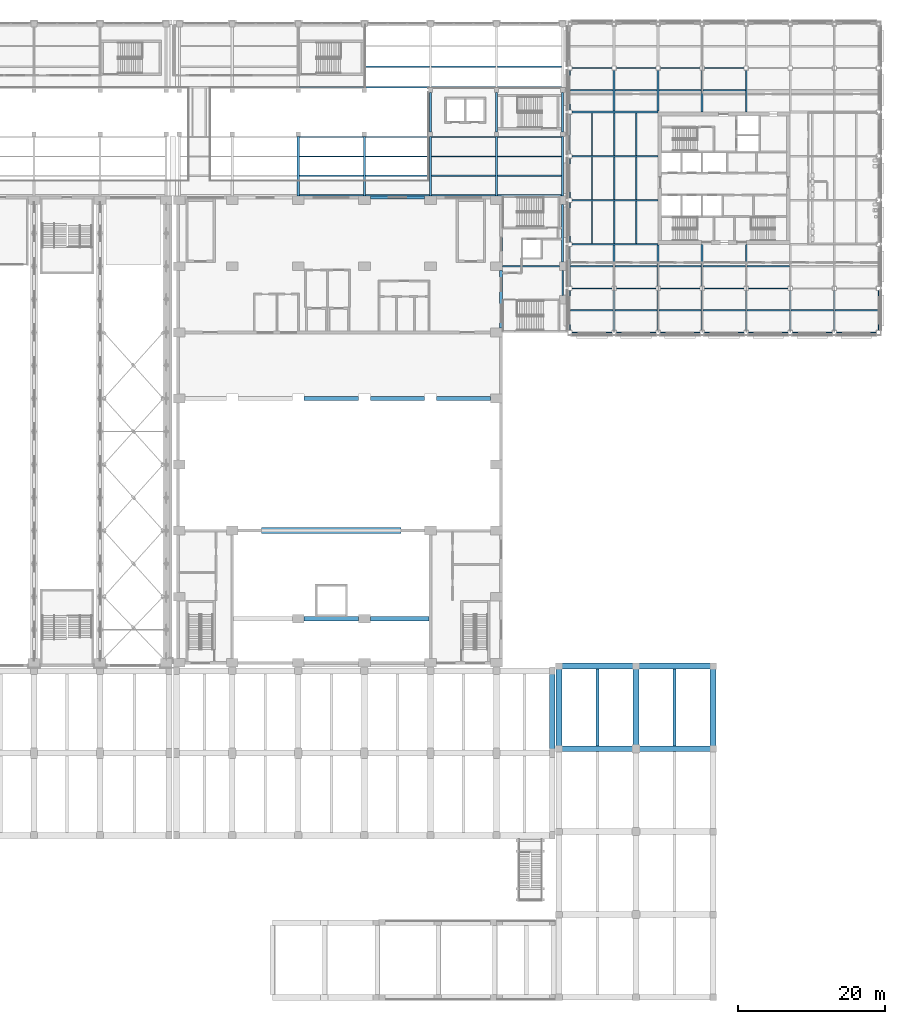
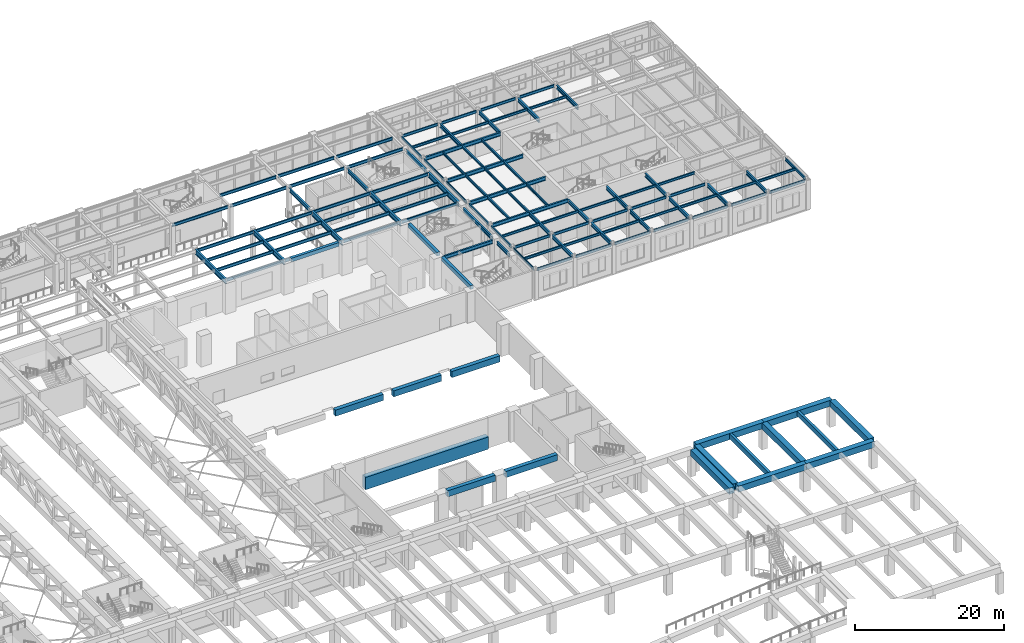
# One storey, part 20 of 76: 119 beams.
"""IFC4 building model written with IfcOpenShell, lengths in metres."""

from ifc_helpers import new_model, si_unit, direction, frame, origin, origin_2d, place, context, subcontext, project, spatial, rectangle, i_section, extrude, material, material_profile, profile_set, type_object, element, save


model = new_model("IFC4")

# Units and contexts
model_context = context("Model", 3, precision=1e-05, world=origin(), true_north=direction((0.0, 1.0)))
body_context = subcontext(model_context, "Body", "Model", "MODEL_VIEW")
ifc_project = project(units=[si_unit("LENGTHUNIT", "METRE"), si_unit("AREAUNIT", "SQUARE_METRE"), si_unit("VOLUMEUNIT", "CUBIC_METRE"), si_unit("PLANEANGLEUNIT", "RADIAN"), si_unit("MASSUNIT", "GRAM", prefix="KILO")], contexts=[model_context])

# Site, building, storey
site_placement = place(None, origin())
site = spatial("IfcSite", under=ifc_project, at=site_placement, CompositionType="ELEMENT")
building_placement = place(site_placement, origin())
building = spatial("IfcBuilding", under=site, at=building_placement, Name="Aravalli Gate Trade Fair Centre", CompositionType="ELEMENT")
storey_placement = place(building_placement, frame((0.0, 0.0, 10.0)))
storey = spatial("IfcBuildingStorey", under=building, at=storey_placement, Name="L02", CompositionType="ELEMENT", Elevation=10.0)

# Beams
ifc_material_1 = material(Name="Concrete M45", Category="concrete")
ifc_material_profile_1 = material_profile(ifc_material_1, rectangle(XDim=0.60009765625, YDim=1.0, at=origin_2d()), Name="RC 600x1000")
ifc_profile_set_1 = profile_set([ifc_material_profile_1], Name="Concrete M45")
beam_type_1 = type_object("IfcBeamType", Name="Congress RC beam 600 x 1000", PredefinedType="BEAM", material=ifc_profile_set_1)
for number, where, z_axis, x_axis, name in (
    (1, (123.800048828125, 82.0, -0.5), (1.0, 0.0, 0.0), (0.0, 1.0, 0.0), "Balcony front beam L02 123 to 132"),
    (2, (132.800048828125, 82.0, -0.5), (1.0, 0.0, 0.0), (0.0, 1.0, 0.0), "Balcony front beam L02 132 to 141"),
    (3, (141.800048828125, 82.0, -0.5), (1.0, 0.0, 0.0), (0.0, 1.0, 0.0), "Balcony front beam L02 141 to 150"),
    (4, (123.800048828125, 52.0, 4.5), (1.0, 0.0, 0.0), (0.0, 1.0, 0.0), "Scenery gallery front beam 2"),
):
    element("IfcBeam", number, at=place(storey_placement, frame(where, z_axis=z_axis, x_axis=x_axis)), inside=storey, type_object=beam_type_1, Name=name, PredefinedType="BEAM", context=body_context, shape_type="SweptSolid", body=[
        extrude(rectangle(XDim=0.60009765625, YDim=1.0, at=origin_2d()), origin(), (0.0, 0.0, 1.0), 7.39990234375),
    ])
beam_1_placement = place(storey_placement, frame((132.800048828125, 52.0, 4.5), z_axis=(1.0, 0.0, 0.0), x_axis=(0.0, 1.0, 0.0)))
element("IfcBeam", 5, at=beam_1_placement, inside=storey, type_object=beam_type_1, Name="Scenery gallery front beam 3", PredefinedType="BEAM", context=body_context, shape_type="SweptSolid", body=[
    extrude(rectangle(XDim=0.60009765625, YDim=1.0, at=origin_2d()), origin(), (0.0, 0.0, 1.0), 8.0),
])
ifc_material_profile_2 = material_profile(ifc_material_1, rectangle(XDim=0.449951171875, YDim=0.60009765625, at=origin_2d()), Name="RC 450x600")
ifc_profile_set_2 = profile_set([ifc_material_profile_2], Name="Concrete M45")
beam_type_2 = type_object("IfcBeamType", Name="Congress RC lintel beam 450 x 600", PredefinedType="BEAM", material=ifc_profile_set_2)
for number, where, z_axis, x_axis, name in (
    (6, (150.60009765625, 91.60009765625, 4.699951171875), (0.0, 1.0, 0.0), (-1.0, 0.0, 0.0), "Lintel E L02 bay 6"),
    (7, (150.60009765625, 100.60009765625, 4.699951171875), (0.0, 1.0, 0.0), (-1.0, 0.0, 0.0), "Lintel E L02 bay 7"),
):
    element("IfcBeam", number, at=place(storey_placement, frame(where, z_axis=z_axis, x_axis=x_axis)), inside=storey, type_object=beam_type_2, Name=name, PredefinedType="BEAM", context=body_context, shape_type="SweptSolid", body=[
        extrude(rectangle(XDim=0.449951171875, YDim=0.60009765625, at=origin_2d()), origin(), (0.0, 0.0, 1.0), 7.7998046875),
    ])
beam_2_placement = place(storey_placement, frame((132.800048828125, 109.375, 4.699951171875), z_axis=(1.0, 0.0, 0.0), x_axis=(0.0, 1.0, 0.0)))
element("IfcBeam", 8, at=beam_2_placement, inside=storey, type_object=beam_type_2, Name="Lintel N L02 bay 4", PredefinedType="BEAM", context=body_context, shape_type="SweptSolid", body=[
    extrude(rectangle(XDim=0.449951171875, YDim=0.60009765625, at=origin_2d()), origin(), (0.0, 0.0, 1.0), 7.39990234375),
])
ifc_material_profile_3 = material_profile(ifc_material_1, rectangle(XDim=0.800048828125, YDim=2.0, at=origin_2d()), Name="RC 800x2000")
ifc_profile_set_3 = profile_set([ifc_material_profile_3], Name="Concrete M45")
beam_type_3 = type_object("IfcBeamType", Name="Congress RC proscenium beam 800 x 2000", PredefinedType="BEAM", material=ifc_profile_set_3)
beam_3_placement = place(storey_placement, frame((118.0, 64.0, 1.0), z_axis=(1.0, 0.0, 0.0), x_axis=(0.0, 1.0, 0.0)))
element("IfcBeam", 9, at=beam_3_placement, inside=storey, type_object=beam_type_3, Name="Proscenium lintel beam", PredefinedType="BEAM", context=body_context, shape_type="SweptSolid", body=[
    extrude(rectangle(XDim=0.800048828125, YDim=2.0, at=origin_2d()), origin(), (0.0, 0.0, 1.0), 19.0),
])
ifc_material_profile_4 = material_profile(ifc_material_1, rectangle(XDim=0.800048828125, YDim=1.0, at=origin_2d()), Name="Deck girder RC 800 x 1000")
ifc_profile_set_4 = profile_set([ifc_material_profile_4], Name="Concrete M45")
beam_type_4 = type_object("IfcBeamType", Name="Deck girder RC 800 x 1000", PredefinedType="BEAM", material=ifc_profile_set_4)
beam_4_placement = place(storey_placement, frame((157.580078125, 34.10009765625, 3.89990234375), z_axis=(0.0, 1.0, 0.0), x_axis=(-1.0, 0.0, 0.0)))
element("IfcBeam", 10, at=beam_4_placement, inside=storey, type_object=beam_type_4, Name="Beam SB3-091", PredefinedType="BEAM", context=body_context, shape_type="SweptSolid", body=[
    extrude(rectangle(XDim=0.800048828125, YDim=1.0, at=origin_2d()), origin(), (0.0, 0.0, 1.0), 10.39990234375),
])
for number, where, z_axis, x_axis, name in (
    (11, (158.5, 34.300048828125, 3.89990234375), (1.0, 0.0, 0.0), (0.0, 1.0, 0.0), "Beam SB3-098"),
    (12, (169.0, 34.300048828125, 3.89990234375), (1.0, 0.0, 0.0), (0.0, 1.0, 0.0), "Beam SB3-099"),
    (13, (158.5, 45.550048828125, 3.89990234375), (1.0, 0.0, 0.0), (0.0, 1.0, 0.0), "Beam SB3-100"),
    (14, (169.0, 45.550048828125, 3.89990234375), (1.0, 0.0, 0.0), (0.0, 1.0, 0.0), "Beam SB3-101"),
):
    element("IfcBeam", number, at=place(storey_placement, frame(where, z_axis=z_axis, x_axis=x_axis)), inside=storey, type_object=beam_type_4, Name=name, PredefinedType="BEAM", context=body_context, shape_type="SweptSolid", body=[
        extrude(rectangle(XDim=0.800048828125, YDim=1.0, at=origin_2d()), origin(), (0.0, 0.0, 1.0), 10.5),
    ])
for number, where, z_axis, x_axis, name in (
    (15, (158.5, 34.699951171875, 3.89990234375), (0.0, 1.0, 0.0), (-1.0, 0.0, 0.0), "Beam SB3-105"),
    (16, (169.0, 34.699951171875, 3.89990234375), (0.0, 1.0, 0.0), (-1.0, 0.0, 0.0), "Beam SB3-109"),
    (17, (179.5, 34.699951171875, 3.89990234375), (0.0, 1.0, 0.0), (-1.0, 0.0, 0.0), "Beam SB3-113"),
):
    element("IfcBeam", number, at=place(storey_placement, frame(where, z_axis=z_axis, x_axis=x_axis)), inside=storey, type_object=beam_type_4, Name=name, PredefinedType="BEAM", context=body_context, shape_type="SweptSolid", body=[
        extrude(rectangle(XDim=0.800048828125, YDim=1.0, at=origin_2d()), origin(), (0.0, 0.0, 1.0), 10.449951171875),
    ])
ifc_material_profile_5 = material_profile(ifc_material_1, rectangle(XDim=0.39990234375, YDim=0.800048828125, at=origin_2d()), Name="Deck secondary beam RC 400 x 800")
ifc_profile_set_5 = profile_set([ifc_material_profile_5], Name="Concrete M45")
beam_type_5 = type_object("IfcBeamType", Name="Deck secondary beam RC 400 x 800", PredefinedType="BEAM", material=ifc_profile_set_5)
for number, where, z_axis, x_axis, name in (
    (18, (163.75, 34.699951171875, 4.0), (0.0, 1.0, 0.0), (-1.0, 0.0, 0.0), "Beam SB4-038"),
    (19, (174.25, 34.699951171875, 4.0), (0.0, 1.0, 0.0), (-1.0, 0.0, 0.0), "Beam SB4-042"),
):
    element("IfcBeam", number, at=place(storey_placement, frame(where, z_axis=z_axis, x_axis=x_axis)), inside=storey, type_object=beam_type_5, Name=name, PredefinedType="BEAM", context=body_context, shape_type="SweptSolid", body=[
        extrude(rectangle(XDim=0.39990234375, YDim=0.800048828125, at=origin_2d()), origin(), (0.0, 0.0, 1.0), 10.449951171875),
    ])
ifc_material_2 = material(Name="Steel E350", Category="steel")
ifc_material_profile_6 = material_profile(ifc_material_2, i_section(OverallWidth=0.179931640625, OverallDepth=0.5, WebThickness=0.01025390625, FlangeThickness=0.01708984375, at=origin_2d()), Name="ISMB 500")
ifc_profile_set_6 = profile_set([ifc_material_profile_6], Name="Steel E350")
beam_type_6 = type_object("IfcBeamType", Name="ISMB 500 gallery secondary beam", PredefinedType="JOIST", material=ifc_profile_set_6)
for number, where, z_axis, x_axis, name in (
    (20, (123.14990234375, 109.68994140625, 4.550048828125), (1.0, 0.0, 0.0), (0.0, 1.0, 0.0), "Gallery beam S0 14-15 L03"),
    (21, (123.14990234375, 112.330078125, 4.550048828125), (1.0, 0.0, 0.0), (0.0, 1.0, 0.0), "Gallery beam S1 14-15 L03"),
    (22, (123.14990234375, 114.969970703125, 4.550048828125), (1.0, 0.0, 0.0), (0.0, 1.0, 0.0), "Gallery beam S2 14-15 L03"),
    (23, (123.14990234375, 117.610107421875, 4.550048828125), (1.0, 0.0, 0.0), (0.0, 1.0, 0.0), "Gallery beam S3 14-15 L03"),
    (24, (123.14990234375, 124.389892578125, 4.550048828125), (1.0, 0.0, 0.0), (0.0, 1.0, 0.0), "Gallery beam N4 14-15 L03"),
    (25, (132.14990234375, 109.68994140625, 4.550048828125), (1.0, 0.0, 0.0), (0.0, 1.0, 0.0), "Gallery beam S0 15-16 L03"),
    (26, (132.14990234375, 112.330078125, 4.550048828125), (1.0, 0.0, 0.0), (0.0, 1.0, 0.0), "Gallery beam S1 15-16 L03"),
    (27, (132.14990234375, 114.969970703125, 4.550048828125), (1.0, 0.0, 0.0), (0.0, 1.0, 0.0), "Gallery beam S2 15-16 L03"),
    (28, (132.14990234375, 117.610107421875, 4.550048828125), (1.0, 0.0, 0.0), (0.0, 1.0, 0.0), "Gallery beam S3 15-16 L03"),
    (29, (132.14990234375, 124.389892578125, 4.550048828125), (1.0, 0.0, 0.0), (0.0, 1.0, 0.0), "Gallery beam N4 15-16 L03"),
    (30, (132.14990234375, 127.203369140625, 4.550048828125), (1.0, 0.0, 0.0), (0.0, 1.0, 0.0), "Gallery beam N5 15-16 L03"),
    (31, (141.14990234375, 109.68994140625, 4.550048828125), (1.0, 0.0, 0.0), (0.0, 1.0, 0.0), "Gallery beam S0 16-17 L03"),
    (32, (141.14990234375, 112.330078125, 4.550048828125), (1.0, 0.0, 0.0), (0.0, 1.0, 0.0), "Gallery beam S1 16-17 L03"),
    (33, (141.14990234375, 114.969970703125, 4.550048828125), (1.0, 0.0, 0.0), (0.0, 1.0, 0.0), "Gallery beam S2 16-17 L03"),
    (34, (141.14990234375, 117.610107421875, 4.550048828125), (1.0, 0.0, 0.0), (0.0, 1.0, 0.0), "Gallery beam S3 16-17 L03"),
    (35, (141.14990234375, 124.389892578125, 4.550048828125), (1.0, 0.0, 0.0), (0.0, 1.0, 0.0), "Gallery beam N4 16-17 L03"),
    (36, (141.14990234375, 127.203369140625, 4.550048828125), (1.0, 0.0, 0.0), (0.0, 1.0, 0.0), "Gallery beam N5 16-17 L03"),
    (37, (150.14990234375, 109.68994140625, 4.550048828125), (1.0, 0.0, 0.0), (0.0, 1.0, 0.0), "Gallery beam S0 17-E L03"),
    (38, (150.14990234375, 112.330078125, 4.550048828125), (1.0, 0.0, 0.0), (0.0, 1.0, 0.0), "Gallery beam S1 17-E L03"),
    (39, (150.14990234375, 114.969970703125, 4.550048828125), (1.0, 0.0, 0.0), (0.0, 1.0, 0.0), "Gallery beam S2 17-E L03"),
    (40, (150.14990234375, 117.610107421875, 4.550048828125), (1.0, 0.0, 0.0), (0.0, 1.0, 0.0), "Gallery beam S3 17-E L03"),
    (41, (150.14990234375, 124.389892578125, 4.550048828125), (1.0, 0.0, 0.0), (0.0, 1.0, 0.0), "Gallery beam N4 17-E L03"),
    (42, (150.14990234375, 127.203369140625, 4.550048828125), (1.0, 0.0, 0.0), (0.0, 1.0, 0.0), "Gallery beam N5 17-E L03"),
):
    element("IfcBeam", number, at=place(storey_placement, frame(where, z_axis=z_axis, x_axis=x_axis)), inside=storey, type_object=beam_type_6, Name=name, PredefinedType="JOIST", context=body_context, shape_type="SweptSolid", body=[
        extrude(i_section(OverallWidth=0.179931640625, OverallDepth=0.5, WebThickness=0.01025390625, FlangeThickness=0.01708984375, at=origin_2d()), origin(), (0.0, 0.0, 1.0), 8.7001953125),
    ])
ifc_material_profile_7 = material_profile(ifc_material_2, i_section(OverallWidth=0.25, OverallDepth=0.60009765625, WebThickness=0.01123046875, FlangeThickness=0.021240234375, at=origin_2d()), Name="ISWB 600")
ifc_profile_set_7 = profile_set([ifc_material_profile_7], Name="Steel E350")
beam_type_7 = type_object("IfcBeamType", Name="ISWB 600 gallery girder", PredefinedType="BEAM", material=ifc_profile_set_7)
for number, where, z_axis, x_axis, name in (
    (43, (141.0, 118.300048828125, 4.5), (0.0, 1.0, 0.0), (-1.0, 0.0, 0.0), "Gallery girder M16 L03"),
    (44, (150.0, 118.300048828125, 4.5), (0.0, 1.0, 0.0), (-1.0, 0.0, 0.0), "Gallery girder M17 L03"),
    (45, (159.0, 118.300048828125, 4.5), (0.0, 1.0, 0.0), (-1.0, 0.0, 0.0), "Gallery girder ME L03"),
):
    element("IfcBeam", number, at=place(storey_placement, frame(where, z_axis=z_axis, x_axis=x_axis)), inside=storey, type_object=beam_type_7, Name=name, PredefinedType="BEAM", context=body_context, shape_type="SweptSolid", body=[
        extrude(i_section(OverallWidth=0.25, OverallDepth=0.60009765625, WebThickness=0.01123046875, FlangeThickness=0.021240234375, at=origin_2d()), origin(), (0.0, 0.0, 1.0), 5.39990234375),
    ])
ifc_material_profile_8 = material_profile(ifc_material_2, i_section(OverallWidth=0.2099609375, OverallDepth=0.60009765625, WebThickness=0.011962890625, FlangeThickness=0.020263671875, at=origin_2d()), Name="ISMB 600")
ifc_profile_set_8 = profile_set([ifc_material_profile_8], Name="Steel E350")
beam_type_8 = type_object("IfcBeamType", Name="Link girder ISMB 600", PredefinedType="BEAM", material=ifc_profile_set_8)
beam_5_placement = place(storey_placement, frame((159.0, 96.050048828125, 4.2900390625), z_axis=(0.0, 1.0, 0.0), x_axis=(-1.0, 0.0, 0.0)))
element("IfcBeam", 46, at=beam_5_placement, inside=storey, type_object=beam_type_8, Name="Link girder EFG L03", PredefinedType="BEAM", context=body_context, shape_type="SweptSolid", body=[
    extrude(i_section(OverallWidth=0.2099609375, OverallDepth=0.60009765625, WebThickness=0.011962890625, FlangeThickness=0.020263671875, at=origin_2d()), origin(), (0.0, 0.0, 1.0), 3.349853515625),
])
ifc_material_profile_9 = material_profile(ifc_material_2, i_section(OverallWidth=0.25, OverallDepth=0.60009765625, WebThickness=0.01123046875, FlangeThickness=0.021240234375, at=origin_2d()), Name="ISWB 600")
ifc_profile_set_9 = profile_set([ifc_material_profile_9], Name="Steel E350")
beam_type_9 = type_object("IfcBeamType", Name="Link transfer girder ISWB 600", PredefinedType="BEAM", material=ifc_profile_set_9)
beam_6_placement = place(storey_placement, frame((159.0, 100.60009765625, 4.2900390625), z_axis=(0.0, 1.0, 0.0), x_axis=(-1.0, 0.0, 0.0)))
element("IfcBeam", 47, at=beam_6_placement, inside=storey, type_object=beam_type_9, Name="Link transfer girder EGH L03", PredefinedType="BEAM", context=body_context, shape_type="SweptSolid", body=[
    extrude(i_section(OverallWidth=0.25, OverallDepth=0.60009765625, WebThickness=0.01123046875, FlangeThickness=0.021240234375, at=origin_2d()), origin(), (0.0, 0.0, 1.0), 7.7998046875),
])
beam_7_placement = place(storey_placement, frame((150.800048828125, 100.0, 4.2900390625), z_axis=(1.0, 0.0, 0.0), x_axis=(0.0, 1.0, 0.0)))
element("IfcBeam", 48, at=beam_7_placement, inside=storey, type_object=beam_type_9, Name="Link transfer girder WE L03", PredefinedType="BEAM", context=body_context, shape_type="SweptSolid", body=[
    extrude(i_section(OverallWidth=0.25, OverallDepth=0.60009765625, WebThickness=0.01123046875, FlangeThickness=0.021240234375, at=origin_2d()), origin(), (0.0, 0.0, 1.0), 7.800048828125),
])
ifc_material_profile_10 = material_profile(ifc_material_2, i_section(OverallWidth=0.300048828125, OverallDepth=0.800048828125, WebThickness=0.011962890625, FlangeThickness=0.02490234375, at=origin_2d()), Name="PG 800x300x12x25")
ifc_profile_set_10 = profile_set([ifc_material_profile_10], Name="Steel E350")
beam_type_10 = type_object("IfcBeamType", Name="PG 800x300x12x25 gallery plate girder", PredefinedType="BEAM", material=ifc_profile_set_10)
for number, where, z_axis, x_axis, name in (
    (49, (123.0, 109.60009765625, 4.39990234375), (0.0, 1.0, 0.0), (-1.0, 0.0, 0.0), "Gallery girder S14 L03"),
    (50, (132.0, 109.60009765625, 4.39990234375), (0.0, 1.0, 0.0), (-1.0, 0.0, 0.0), "Gallery girder S15 L03"),
    (51, (141.0, 109.60009765625, 4.39990234375), (0.0, 1.0, 0.0), (-1.0, 0.0, 0.0), "Gallery girder S16 L03"),
    (52, (150.0, 109.60009765625, 4.39990234375), (0.0, 1.0, 0.0), (-1.0, 0.0, 0.0), "Gallery girder S17 L03"),
    (53, (159.0, 109.60009765625, 4.39990234375), (0.0, 1.0, 0.0), (-1.0, 0.0, 0.0), "Gallery girder SE L03"),
):
    element("IfcBeam", number, at=place(storey_placement, frame(where, z_axis=z_axis, x_axis=x_axis)), inside=storey, type_object=beam_type_10, Name=name, PredefinedType="BEAM", context=body_context, shape_type="SweptSolid", body=[
        extrude(i_section(OverallWidth=0.300048828125, OverallDepth=0.800048828125, WebThickness=0.011962890625, FlangeThickness=0.02490234375, at=origin_2d()), origin(), (0.0, 0.0, 1.0), 8.099853515625),
    ])
ifc_material_profile_11 = material_profile(ifc_material_2, i_section(OverallWidth=0.25, OverallDepth=0.60009765625, WebThickness=0.01123046875, FlangeThickness=0.021240234375, at=origin_2d()), Name="ISWB 600")
ifc_profile_set_11 = profile_set([ifc_material_profile_11], Name="Steel E350")
beam_type_11 = type_object("IfcBeamType", Name="Wing core to perimeter girder ISWB 600 (podium floors)", PredefinedType="BEAM", material=ifc_profile_set_11)
for number, where, z_axis, x_axis, name in (
    (54, (160.27490234375, 103.0, 4.5), (1.0, 0.0, 0.0), (0.0, 1.0, 0.0), "Core to perimeter girder PW0 L03"),
    (55, (160.27490234375, 109.0, 4.5), (1.0, 0.0, 0.0), (0.0, 1.0, 0.0), "Core to perimeter girder PW1 L03"),
    (56, (160.27490234375, 115.0, 4.5), (1.0, 0.0, 0.0), (0.0, 1.0, 0.0), "Core to perimeter girder PW2 L03"),
    (57, (160.27490234375, 121.0, 4.5), (1.0, 0.0, 0.0), (0.0, 1.0, 0.0), "Core to perimeter girder PW3 L03"),
):
    element("IfcBeam", number, at=place(storey_placement, frame(where, z_axis=z_axis, x_axis=x_axis)), inside=storey, type_object=beam_type_11, Name=name, PredefinedType="BEAM", context=body_context, shape_type="SweptSolid", body=[
        extrude(i_section(OverallWidth=0.25, OverallDepth=0.60009765625, WebThickness=0.01123046875, FlangeThickness=0.021240234375, at=origin_2d()), origin(), (0.0, 0.0, 1.0), 11.72509765625),
    ])
beam_8_placement = place(storey_placement, frame((172.0, 91.27490234375, 4.5), z_axis=(0.0, 1.0, 0.0), x_axis=(-1.0, 0.0, 0.0)))
element("IfcBeam", 58, at=beam_8_placement, inside=storey, type_object=beam_type_11, Name="Core to perimeter girder PS0a L03", PredefinedType="BEAM", context=body_context, shape_type="SweptSolid", body=[
    extrude(i_section(OverallWidth=0.25, OverallDepth=0.60009765625, WebThickness=0.01123046875, FlangeThickness=0.021240234375, at=origin_2d()), origin(), (0.0, 0.0, 1.0), 5.4501953125),
])
for number, where, z_axis, x_axis, name in (
    (59, (172.0, 97.27490234375, 4.5), (0.0, 1.0, 0.0), (-1.0, 0.0, 0.0), "Core to perimeter girder PS0b L03"),
    (60, (172.0, 121.125, 4.5), (0.0, 1.0, 0.0), (-1.0, 0.0, 0.0), "Core to perimeter girder PN0a L03"),
):
    element("IfcBeam", number, at=place(storey_placement, frame(where, z_axis=z_axis, x_axis=x_axis)), inside=storey, type_object=beam_type_11, Name=name, PredefinedType="BEAM", context=body_context, shape_type="SweptSolid", body=[
        extrude(i_section(OverallWidth=0.25, OverallDepth=0.60009765625, WebThickness=0.01123046875, FlangeThickness=0.021240234375, at=origin_2d()), origin(), (0.0, 0.0, 1.0), 5.60009765625),
    ])
beam_9_placement = place(storey_placement, frame((178.0, 91.27490234375, 4.5), z_axis=(0.0, 1.0, 0.0), x_axis=(-1.0, 0.0, 0.0)))
element("IfcBeam", 61, at=beam_9_placement, inside=storey, type_object=beam_type_11, Name="Core to perimeter girder PS1a L03", PredefinedType="BEAM", context=body_context, shape_type="SweptSolid", body=[
    extrude(i_section(OverallWidth=0.25, OverallDepth=0.60009765625, WebThickness=0.01123046875, FlangeThickness=0.021240234375, at=origin_2d()), origin(), (0.0, 0.0, 1.0), 5.4501953125),
])
for number, where, z_axis, x_axis, name in (
    (62, (178.0, 97.27490234375, 4.5), (0.0, 1.0, 0.0), (-1.0, 0.0, 0.0), "Core to perimeter girder PS1b L03"),
    (63, (178.0, 121.0, 4.5), (0.0, 1.0, 0.0), (-1.0, 0.0, 0.0), "Core to perimeter girder PN1a L03"),
):
    element("IfcBeam", number, at=place(storey_placement, frame(where, z_axis=z_axis, x_axis=x_axis)), inside=storey, type_object=beam_type_11, Name=name, PredefinedType="BEAM", context=body_context, shape_type="SweptSolid", body=[
        extrude(i_section(OverallWidth=0.25, OverallDepth=0.60009765625, WebThickness=0.01123046875, FlangeThickness=0.021240234375, at=origin_2d()), origin(), (0.0, 0.0, 1.0), 5.72509765625),
    ])
beam_10_placement = place(storey_placement, frame((184.0, 91.27490234375, 4.5), z_axis=(0.0, 1.0, 0.0), x_axis=(-1.0, 0.0, 0.0)))
element("IfcBeam", 64, at=beam_10_placement, inside=storey, type_object=beam_type_11, Name="Core to perimeter girder PS2a L03", PredefinedType="BEAM", context=body_context, shape_type="SweptSolid", body=[
    extrude(i_section(OverallWidth=0.25, OverallDepth=0.60009765625, WebThickness=0.01123046875, FlangeThickness=0.021240234375, at=origin_2d()), origin(), (0.0, 0.0, 1.0), 5.4501953125),
])
for number, where, z_axis, x_axis, name in (
    (65, (184.0, 97.27490234375, 4.5), (0.0, 1.0, 0.0), (-1.0, 0.0, 0.0), "Core to perimeter girder PS2b L03"),
    (66, (184.0, 121.0, 4.5), (0.0, 1.0, 0.0), (-1.0, 0.0, 0.0), "Core to perimeter girder PN2a L03"),
):
    element("IfcBeam", number, at=place(storey_placement, frame(where, z_axis=z_axis, x_axis=x_axis)), inside=storey, type_object=beam_type_11, Name=name, PredefinedType="BEAM", context=body_context, shape_type="SweptSolid", body=[
        extrude(i_section(OverallWidth=0.25, OverallDepth=0.60009765625, WebThickness=0.01123046875, FlangeThickness=0.021240234375, at=origin_2d()), origin(), (0.0, 0.0, 1.0), 5.72509765625),
    ])
beam_11_placement = place(storey_placement, frame((190.0, 91.27490234375, 4.5), z_axis=(0.0, 1.0, 0.0), x_axis=(-1.0, 0.0, 0.0)))
element("IfcBeam", 67, at=beam_11_placement, inside=storey, type_object=beam_type_11, Name="Core to perimeter girder PS3a L03", PredefinedType="BEAM", context=body_context, shape_type="SweptSolid", body=[
    extrude(i_section(OverallWidth=0.25, OverallDepth=0.60009765625, WebThickness=0.01123046875, FlangeThickness=0.021240234375, at=origin_2d()), origin(), (0.0, 0.0, 1.0), 5.4501953125),
])
ifc_material_profile_12 = material_profile(ifc_material_2, i_section(OverallWidth=0.25, OverallDepth=0.60009765625, WebThickness=0.01123046875, FlangeThickness=0.021240234375, at=origin_2d()), Name="ISWB 600")
ifc_profile_set_12 = profile_set([ifc_material_profile_12], Name="Steel E350")
beam_type_12 = type_object("IfcBeamType", Name="Wing corner transfer girder ISWB 600 (podium floors)", PredefinedType="BEAM", material=ifc_profile_set_12)
beam_12_placement = place(storey_placement, frame((166.0, 91.27490234375, 4.5), z_axis=(0.0, 1.0, 0.0), x_axis=(-1.0, 0.0, 0.0)))
element("IfcBeam", 68, at=beam_12_placement, inside=storey, type_object=beam_type_12, Name="Corner transfer girder CSWya L03", PredefinedType="BEAM", context=body_context, shape_type="SweptSolid", body=[
    extrude(i_section(OverallWidth=0.25, OverallDepth=0.60009765625, WebThickness=0.01123046875, FlangeThickness=0.021240234375, at=origin_2d()), origin(), (0.0, 0.0, 1.0), 5.4501953125),
])
for number, where, z_axis, x_axis, name in (
    (69, (166.0, 97.27490234375, 4.5), (0.0, 1.0, 0.0), (-1.0, 0.0, 0.0), "Corner transfer girder CSWyb L03"),
    (70, (166.0, 121.125, 4.5), (0.0, 1.0, 0.0), (-1.0, 0.0, 0.0), "Corner transfer girder CNWya L03"),
):
    element("IfcBeam", number, at=place(storey_placement, frame(where, z_axis=z_axis, x_axis=x_axis)), inside=storey, type_object=beam_type_12, Name=name, PredefinedType="BEAM", context=body_context, shape_type="SweptSolid", body=[
        extrude(i_section(OverallWidth=0.25, OverallDepth=0.60009765625, WebThickness=0.01123046875, FlangeThickness=0.021240234375, at=origin_2d()), origin(), (0.0, 0.0, 1.0), 5.60009765625),
    ])
beam_13_placement = place(storey_placement, frame((196.0, 91.27490234375, 4.5), z_axis=(0.0, 1.0, 0.0), x_axis=(-1.0, 0.0, 0.0)))
element("IfcBeam", 71, at=beam_13_placement, inside=storey, type_object=beam_type_12, Name="Corner transfer girder CSEya L03", PredefinedType="BEAM", context=body_context, shape_type="SweptSolid", body=[
    extrude(i_section(OverallWidth=0.25, OverallDepth=0.60009765625, WebThickness=0.01123046875, FlangeThickness=0.021240234375, at=origin_2d()), origin(), (0.0, 0.0, 1.0), 5.4501953125),
])
ifc_material_profile_13 = material_profile(ifc_material_2, i_section(OverallWidth=0.14990234375, OverallDepth=0.449951171875, WebThickness=0.009521484375, FlangeThickness=0.017333984375, at=origin_2d()), Name="ISMB 450")
ifc_profile_set_13 = profile_set([ifc_material_profile_13], Name="Steel E350")
beam_type_13 = type_object("IfcBeamType", Name="Wing perimeter beam ISMB 450 (podium floors)", PredefinedType="BEAM", material=ifc_profile_set_13)
for number, where, z_axis, x_axis, name in (
    (72, (160.27490234375, 91.0, 4.574951171875), (1.0, 0.0, 0.0), (0.0, 1.0, 0.0), "Perimeter beam ES0 L03"),
    (73, (166.27490234375, 91.0, 4.574951171875), (1.0, 0.0, 0.0), (0.0, 1.0, 0.0), "Perimeter beam ES1 L03"),
    (74, (172.27490234375, 91.0, 4.574951171875), (1.0, 0.0, 0.0), (0.0, 1.0, 0.0), "Perimeter beam ES2 L03"),
    (75, (178.27490234375, 91.0, 4.574951171875), (1.0, 0.0, 0.0), (0.0, 1.0, 0.0), "Perimeter beam ES3 L03"),
    (76, (184.27490234375, 91.0, 4.574951171875), (1.0, 0.0, 0.0), (0.0, 1.0, 0.0), "Perimeter beam ES4 L03"),
    (77, (190.27490234375, 91.0, 4.574951171875), (1.0, 0.0, 0.0), (0.0, 1.0, 0.0), "Perimeter beam ES5 L03"),
    (78, (196.27490234375, 91.0, 4.574951171875), (1.0, 0.0, 0.0), (0.0, 1.0, 0.0), "Perimeter beam ES6 L03"),
    (79, (160.27490234375, 97.0, 4.574951171875), (1.0, 0.0, 0.0), (0.0, 1.0, 0.0), "Perimeter beam ER0 L03"),
    (80, (160.27490234375, 127.0, 4.574951171875), (1.0, 0.0, 0.0), (0.0, 1.0, 0.0), "Perimeter beam EQ0 L03"),
    (81, (166.27490234375, 97.0, 4.574951171875), (1.0, 0.0, 0.0), (0.0, 1.0, 0.0), "Perimeter beam ER1 L03"),
    (82, (166.27490234375, 127.0, 4.574951171875), (1.0, 0.0, 0.0), (0.0, 1.0, 0.0), "Perimeter beam EQ1 L03"),
    (83, (172.27490234375, 97.0, 4.574951171875), (1.0, 0.0, 0.0), (0.0, 1.0, 0.0), "Perimeter beam ER2 L03"),
    (84, (172.27490234375, 127.0, 4.574951171875), (1.0, 0.0, 0.0), (0.0, 1.0, 0.0), "Perimeter beam EQ2 L03"),
    (85, (178.27490234375, 97.0, 4.574951171875), (1.0, 0.0, 0.0), (0.0, 1.0, 0.0), "Perimeter beam ER3 L03"),
    (86, (178.27490234375, 127.0, 4.574951171875), (1.0, 0.0, 0.0), (0.0, 1.0, 0.0), "Perimeter beam EQ3 L03"),
    (87, (184.27490234375, 97.0, 4.574951171875), (1.0, 0.0, 0.0), (0.0, 1.0, 0.0), "Perimeter beam ER4 L03"),
    (88, (160.0, 91.27490234375, 4.574951171875), (0.0, 1.0, 0.0), (-1.0, 0.0, 0.0), "Perimeter beam EW0 L03"),
    (89, (202.0, 91.27490234375, 4.574951171875), (0.0, 1.0, 0.0), (-1.0, 0.0, 0.0), "Perimeter beam EE0 L03"),
    (90, (160.0, 97.27490234375, 4.574951171875), (0.0, 1.0, 0.0), (-1.0, 0.0, 0.0), "Perimeter beam EW1 L03"),
    (91, (160.0, 103.27490234375, 4.574951171875), (0.0, 1.0, 0.0), (-1.0, 0.0, 0.0), "Perimeter beam EW2 L03"),
    (92, (160.0, 109.27490234375, 4.574951171875), (0.0, 1.0, 0.0), (-1.0, 0.0, 0.0), "Perimeter beam EW3 L03"),
    (93, (160.0, 115.27490234375, 4.574951171875), (0.0, 1.0, 0.0), (-1.0, 0.0, 0.0), "Perimeter beam EW4 L03"),
    (94, (160.0, 121.27490234375, 4.574951171875), (0.0, 1.0, 0.0), (-1.0, 0.0, 0.0), "Perimeter beam EW5 L03"),
):
    element("IfcBeam", number, at=place(storey_placement, frame(where, z_axis=z_axis, x_axis=x_axis)), inside=storey, type_object=beam_type_13, Name=name, PredefinedType="BEAM", context=body_context, shape_type="SweptSolid", body=[
        extrude(i_section(OverallWidth=0.14990234375, OverallDepth=0.449951171875, WebThickness=0.009521484375, FlangeThickness=0.017333984375, at=origin_2d()), origin(), (0.0, 0.0, 1.0), 5.4501953125),
    ])
ifc_material_profile_14 = material_profile(ifc_material_2, i_section(OverallWidth=0.199951171875, OverallDepth=0.39990234375, WebThickness=0.008544921875, FlangeThickness=0.012939453125, at=origin_2d()), Name="ISWB 400")
ifc_profile_set_14 = profile_set([ifc_material_profile_14], Name="Steel E350")
beam_type_14 = type_object("IfcBeamType", Name="Wing secondary beam ISWB 400 (podium floors)", PredefinedType="BEAM", material=ifc_profile_set_14)
beam_14_placement = place(storey_placement, frame((160.074951171875, 94.0, 4.60009765625), z_axis=(1.0, 0.0, 0.0), x_axis=(0.0, 1.0, 0.0)))
element("IfcBeam", 95, at=beam_14_placement, inside=storey, type_object=beam_type_14, Name="Secondary beam KWS00 L03", PredefinedType="BEAM", context=body_context, shape_type="SweptSolid", body=[
    extrude(i_section(OverallWidth=0.199951171875, OverallDepth=0.39990234375, WebThickness=0.008544921875, FlangeThickness=0.012939453125, at=origin_2d()), origin(), (0.0, 0.0, 1.0), 5.800048828125),
])
beam_15_placement = place(storey_placement, frame((166.125, 94.0, 4.60009765625), z_axis=(1.0, 0.0, 0.0), x_axis=(0.0, 1.0, 0.0)))
element("IfcBeam", 96, at=beam_15_placement, inside=storey, type_object=beam_type_14, Name="Secondary beam KWS01 L03", PredefinedType="BEAM", context=body_context, shape_type="SweptSolid", body=[
    extrude(i_section(OverallWidth=0.199951171875, OverallDepth=0.39990234375, WebThickness=0.008544921875, FlangeThickness=0.012939453125, at=origin_2d()), origin(), (0.0, 0.0, 1.0), 5.75),
])
beam_16_placement = place(storey_placement, frame((160.074951171875, 100.0, 4.60009765625), z_axis=(1.0, 0.0, 0.0), x_axis=(0.0, 1.0, 0.0)))
element("IfcBeam", 97, at=beam_16_placement, inside=storey, type_object=beam_type_14, Name="Secondary beam KWS10 L03", PredefinedType="BEAM", context=body_context, shape_type="SweptSolid", body=[
    extrude(i_section(OverallWidth=0.199951171875, OverallDepth=0.39990234375, WebThickness=0.008544921875, FlangeThickness=0.012939453125, at=origin_2d()), origin(), (0.0, 0.0, 1.0), 5.800048828125),
])
beam_17_placement = place(storey_placement, frame((166.125, 100.0, 4.60009765625), z_axis=(1.0, 0.0, 0.0), x_axis=(0.0, 1.0, 0.0)))
element("IfcBeam", 98, at=beam_17_placement, inside=storey, type_object=beam_type_14, Name="Secondary beam KWS11 L03", PredefinedType="BEAM", context=body_context, shape_type="SweptSolid", body=[
    extrude(i_section(OverallWidth=0.199951171875, OverallDepth=0.39990234375, WebThickness=0.008544921875, FlangeThickness=0.012939453125, at=origin_2d()), origin(), (0.0, 0.0, 1.0), 5.75),
])
beam_18_placement = place(storey_placement, frame((160.074951171875, 124.0, 4.60009765625), z_axis=(1.0, 0.0, 0.0), x_axis=(0.0, 1.0, 0.0)))
element("IfcBeam", 99, at=beam_18_placement, inside=storey, type_object=beam_type_14, Name="Secondary beam KWN00 L03", PredefinedType="BEAM", context=body_context, shape_type="SweptSolid", body=[
    extrude(i_section(OverallWidth=0.199951171875, OverallDepth=0.39990234375, WebThickness=0.008544921875, FlangeThickness=0.012939453125, at=origin_2d()), origin(), (0.0, 0.0, 1.0), 5.800048828125),
])
for number, where, z_axis, x_axis, name in (
    (100, (166.125, 124.0, 4.60009765625), (1.0, 0.0, 0.0), (0.0, 1.0, 0.0), "Secondary beam KWN01 L03"),
    (101, (190.125, 94.0, 4.60009765625), (1.0, 0.0, 0.0), (0.0, 1.0, 0.0), "Secondary beam KES00 L03"),
):
    element("IfcBeam", number, at=place(storey_placement, frame(where, z_axis=z_axis, x_axis=x_axis)), inside=storey, type_object=beam_type_14, Name=name, PredefinedType="BEAM", context=body_context, shape_type="SweptSolid", body=[
        extrude(i_section(OverallWidth=0.199951171875, OverallDepth=0.39990234375, WebThickness=0.008544921875, FlangeThickness=0.012939453125, at=origin_2d()), origin(), (0.0, 0.0, 1.0), 5.75),
    ])
beam_19_placement = place(storey_placement, frame((196.125, 94.0, 4.60009765625), z_axis=(1.0, 0.0, 0.0), x_axis=(0.0, 1.0, 0.0)))
element("IfcBeam", 102, at=beam_19_placement, inside=storey, type_object=beam_type_14, Name="Secondary beam KES01 L03", PredefinedType="BEAM", context=body_context, shape_type="SweptSolid", body=[
    extrude(i_section(OverallWidth=0.199951171875, OverallDepth=0.39990234375, WebThickness=0.008544921875, FlangeThickness=0.012939453125, at=origin_2d()), origin(), (0.0, 0.0, 1.0), 5.800048828125),
])
for number, where, z_axis, x_axis, name in (
    (103, (163.0, 103.125, 4.60009765625), (0.0, 1.0, 0.0), (-1.0, 0.0, 0.0), "Secondary beam BW0163 L03"),
    (104, (166.0, 103.125, 4.60009765625), (0.0, 1.0, 0.0), (-1.0, 0.0, 0.0), "Secondary beam BW0166 L03"),
    (105, (169.0, 103.125, 4.60009765625), (0.0, 1.0, 0.0), (-1.0, 0.0, 0.0), "Secondary beam BW0169 L03"),
    (106, (163.0, 109.125, 4.60009765625), (0.0, 1.0, 0.0), (-1.0, 0.0, 0.0), "Secondary beam BW1163 L03"),
    (107, (166.0, 109.125, 4.60009765625), (0.0, 1.0, 0.0), (-1.0, 0.0, 0.0), "Secondary beam BW1166 L03"),
    (108, (169.0, 109.125, 4.60009765625), (0.0, 1.0, 0.0), (-1.0, 0.0, 0.0), "Secondary beam BW1169 L03"),
    (109, (163.0, 115.125, 4.60009765625), (0.0, 1.0, 0.0), (-1.0, 0.0, 0.0), "Secondary beam BW2163 L03"),
    (110, (166.0, 115.125, 4.60009765625), (0.0, 1.0, 0.0), (-1.0, 0.0, 0.0), "Secondary beam BW2166 L03"),
    (111, (169.0, 115.125, 4.60009765625), (0.0, 1.0, 0.0), (-1.0, 0.0, 0.0), "Secondary beam BW2169 L03"),
    (112, (172.125, 94.0, 4.60009765625), (1.0, 0.0, 0.0), (0.0, 1.0, 0.0), "Secondary beam BS094 L03"),
    (113, (172.125, 100.0, 4.60009765625), (1.0, 0.0, 0.0), (0.0, 1.0, 0.0), "Secondary beam BS0100 L03"),
    (114, (178.125, 94.0, 4.60009765625), (1.0, 0.0, 0.0), (0.0, 1.0, 0.0), "Secondary beam BS194 L03"),
    (115, (178.125, 100.0, 4.60009765625), (1.0, 0.0, 0.0), (0.0, 1.0, 0.0), "Secondary beam BS1100 L03"),
    (116, (184.125, 94.0, 4.60009765625), (1.0, 0.0, 0.0), (0.0, 1.0, 0.0), "Secondary beam BS294 L03"),
    (117, (184.125, 100.0, 4.60009765625), (1.0, 0.0, 0.0), (0.0, 1.0, 0.0), "Secondary beam BS2100 L03"),
    (118, (172.125, 124.0, 4.60009765625), (1.0, 0.0, 0.0), (0.0, 1.0, 0.0), "Secondary beam BN0124 L03"),
    (119, (178.125, 124.0, 4.60009765625), (1.0, 0.0, 0.0), (0.0, 1.0, 0.0), "Secondary beam BN1124 L03"),
):
    element("IfcBeam", number, at=place(storey_placement, frame(where, z_axis=z_axis, x_axis=x_axis)), inside=storey, type_object=beam_type_14, Name=name, PredefinedType="BEAM", context=body_context, shape_type="SweptSolid", body=[
        extrude(i_section(OverallWidth=0.199951171875, OverallDepth=0.39990234375, WebThickness=0.008544921875, FlangeThickness=0.012939453125, at=origin_2d()), origin(), (0.0, 0.0, 1.0), 5.75),
    ])

save(model, "model.ifc")
